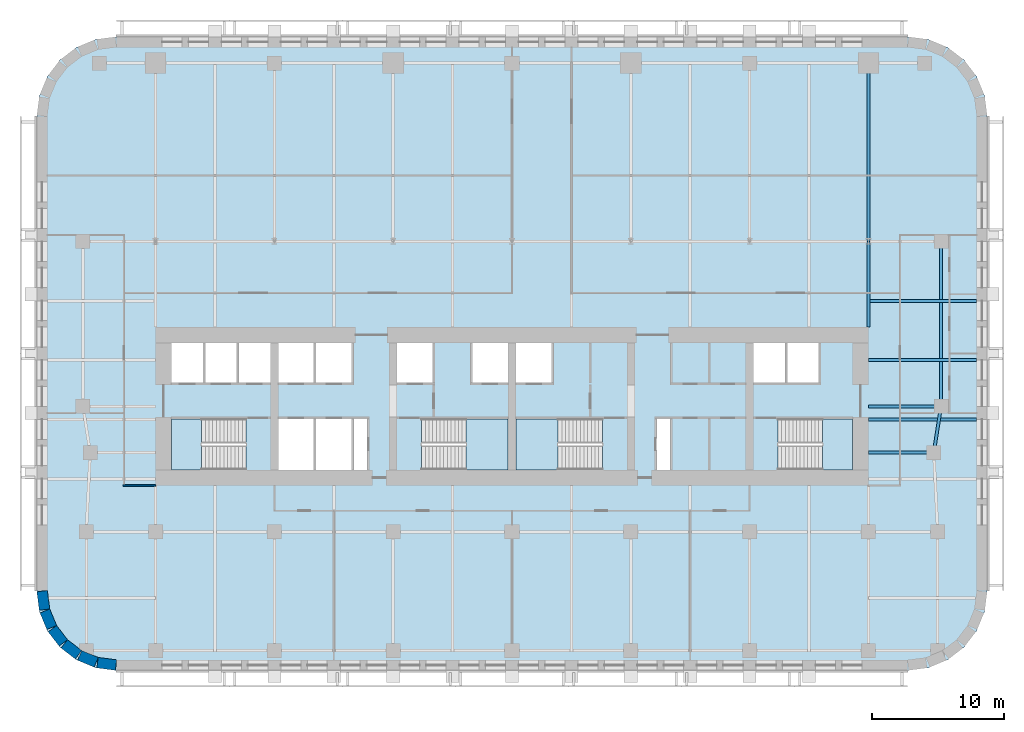
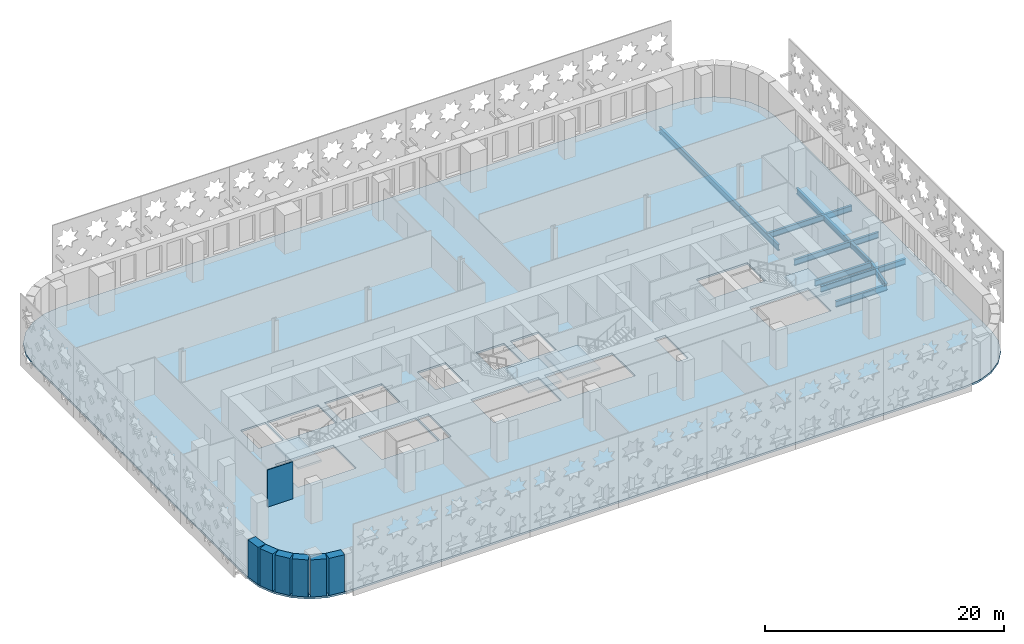
# One storey, part 2 of 15: 9 beams, 7 walls, 5 slabs, 4 elements without a shape of their own.
"""IFC4 building model written with IfcOpenShell, lengths in metres."""

import ifcopenshell
import ifcopenshell.guid

model = None  # the IFC model being written
_history = None  # IfcOwnerHistory: only IFC2X3 demands one
_inside = {}  # id of a spatial element -> (the spatial element, [elements in it])
_under = {}  # id of a project, library or spatial element -> (it, [spatial elements below it])
_declared = {}  # id of a project -> (the project, [libraries it declares])
_typed = {}  # id of a type object -> (the type object, [elements of that type])
_made_of = {}  # id of a material, layer set ... -> (it, [elements and type objects made of it])


def new_model(schema):
    """Start an empty IFC model of exactly this schema.

    Asked for "IFC4X3", IfcOpenShell would pick the latest addendum, in which some entities
    have other attributes; the version numbers below select the first issue.
    IFC2X3 requires an IfcOwnerHistory on every rooted entity: one is made here for all.
    """
    global model, _history
    if schema == "IFC4X3":
        model = ifcopenshell.file(schema_version=(4, 3, 0, 0))
    else:
        model = ifcopenshell.file(schema=schema)
    _inside.clear()
    _under.clear()
    _declared.clear()
    _typed.clear()
    _made_of.clear()
    _history = None
    if model.schema == "IFC2X3":
        org = make("IfcOrganization", Name="unknown")
        user = make(
            "IfcPersonAndOrganization",
            ThePerson=make("IfcPerson", FamilyName="unknown"),
            TheOrganization=org,
        )
        app = make(
            "IfcApplication",
            ApplicationDeveloper=org,
            Version="unknown",
            ApplicationFullName="unknown",
            ApplicationIdentifier="unknown",
        )
        _history = make(
            "IfcOwnerHistory",
            OwningUser=user,
            OwningApplication=app,
            ChangeAction="ADDED",
            CreationDate=0,
        )
    return model


def make(cls, **values):
    """One entity of the class cls with the attributes given. An attribute that is None is left unset."""
    return model.create_entity(
        cls, **{name: value for name, value in values.items() if value is not None}
    )


def rooted(cls, **values):
    """An entity with a GlobalId (a new one), such as an element, a storey or a relation."""
    return make(cls, GlobalId=ifcopenshell.guid.new(), OwnerHistory=_history, **values)


def si_unit(unit_type, name, prefix=None):
    """IfcSIUnit, for example si_unit("LENGTHUNIT", "METRE", prefix="MILLI")."""
    return make("IfcSIUnit", UnitType=unit_type, Prefix=prefix, Name=name)


def assignment(units):
    """IfcUnitAssignment: the units of a project."""
    return None if units is None else make("IfcUnitAssignment", Units=units)


def point(xyz):
    """IfcCartesianPoint."""
    return None if xyz is None else make("IfcCartesianPoint", Coordinates=xyz)


def direction(xyz):
    """IfcDirection."""
    return None if xyz is None else make("IfcDirection", DirectionRatios=xyz)


def frame(location, z_axis=None, x_axis=None):
    """IfcAxis2Placement3D, a coordinate frame: its origin and axes. An axis left out is left unset."""
    return make(
        "IfcAxis2Placement3D",
        Location=point(location),
        Axis=direction(z_axis),
        RefDirection=direction(x_axis),
    )


def frame_2d(location, x_axis=None):
    """IfcAxis2Placement2D, a coordinate frame in the plane: its origin and x axis."""
    return make(
        "IfcAxis2Placement2D", Location=point(location), RefDirection=direction(x_axis)
    )


def origin():
    """The frame at (0, 0, 0) with its axes left unset."""
    return frame((0.0, 0.0, 0.0))


def origin_2d():
    """The frame at (0, 0) in the plane with its x axis left unset."""
    return frame_2d((0.0, 0.0))


def place(relative_to, where):
    """IfcLocalPlacement: puts the frame where relative to a parent placement (None: the world)."""
    return make(
        "IfcLocalPlacement", PlacementRelTo=relative_to, RelativePlacement=where
    )


def context(
    kind, dimensions, precision=None, world=None, true_north=None, identifier=None
):
    """IfcGeometricRepresentationContext, for example the 3D "Model" context."""
    return make(
        "IfcGeometricRepresentationContext",
        ContextIdentifier=identifier,
        ContextType=kind,
        CoordinateSpaceDimension=dimensions,
        Precision=precision,
        WorldCoordinateSystem=world,
        TrueNorth=true_north,
    )


def subcontext(parent, identifier, kind, view, scale=None):
    """IfcGeometricRepresentationSubContext, for example "Body" below "Model"."""
    return make(
        "IfcGeometricRepresentationSubContext",
        ContextIdentifier=identifier,
        ContextType=kind,
        ParentContext=parent,
        TargetScale=scale,
        TargetView=view,
    )


def project(units=None, contexts=None):
    """IfcProject with its units and contexts."""
    return rooted(
        "IfcProject",
        Name="project",
        RepresentationContexts=contexts,
        UnitsInContext=assignment(units),
    )


def spatial(cls, under=None, at=None, **own):
    """A site, building, storey or space (cls), placed at a placement, below another one or the project."""
    s = rooted(cls, ObjectPlacement=at, **own)
    if under is not None:
        _under.setdefault(under.id(), (under, []))[1].append(s)
    return s


def polyline(points):
    """IfcPolyline through the points."""
    return make("IfcPolyline", Points=[point(p) for p in points])


def profile(cls, at=None, kind="AREA", **sizes):
    """A parametric profile (cls). Its sizes go by their IFC names, for example OverallWidth=200.0."""
    return make(cls, ProfileType=kind, Position=at, **sizes)


def rectangle(**sizes):
    """IfcRectangleProfileDef."""
    return profile("IfcRectangleProfileDef", **sizes)


def i_section(**sizes):
    """IfcIShapeProfileDef."""
    return profile("IfcIShapeProfileDef", **sizes)


def outline(outer, holes=None, kind="AREA"):
    """IfcArbitraryClosedProfileDef: a profile drawn as a closed curve; with holes, ...WithVoids."""
    if holes is None:
        return make("IfcArbitraryClosedProfileDef", ProfileType=kind, OuterCurve=outer)
    return make(
        "IfcArbitraryProfileDefWithVoids",
        ProfileType=kind,
        OuterCurve=outer,
        InnerCurves=holes,
    )


def extrude(swept, where, along, depth):
    """IfcExtrudedAreaSolid: the profile swept, set in the frame where, extruded along a direction by depth."""
    return make(
        "IfcExtrudedAreaSolid",
        SweptArea=swept,
        Position=where,
        ExtrudedDirection=direction(along),
        Depth=depth,
    )


def shape(context_of_items, identifier, shape_type, items):
    """IfcShapeRepresentation: the items that make up one representation, for example the "Body"."""
    return make(
        "IfcShapeRepresentation",
        ContextOfItems=context_of_items,
        RepresentationIdentifier=identifier,
        RepresentationType=shape_type,
        Items=items,
    )


def material(Name=None, Category=None):
    """IfcMaterial."""
    return make("IfcMaterial", Name=Name, Category=Category)


def layer(
    of_material, thickness, ventilated=None, Name=None, Category=None, Priority=None
):
    """IfcMaterialLayer: one layer of a wall or slab, of a material (None: an air gap)."""
    return make(
        "IfcMaterialLayer",
        Material=of_material,
        LayerThickness=thickness,
        IsVentilated=ventilated,
        Name=Name,
        Category=Category,
        Priority=Priority,
    )


def layer_set(layers, Name=None):
    """IfcMaterialLayerSet."""
    return make("IfcMaterialLayerSet", MaterialLayers=layers, LayerSetName=Name)


def material_profile(
    of_material, cross_section, Name=None, Category=None, Priority=None
):
    """IfcMaterialProfile: a cross section and its material."""
    return make(
        "IfcMaterialProfile",
        Name=Name,
        Material=of_material,
        Profile=cross_section,
        Priority=Priority,
        Category=Category,
    )


def profile_set(profiles, Name=None, composite=None):
    """IfcMaterialProfileSet."""
    return make(
        "IfcMaterialProfileSet",
        Name=Name,
        MaterialProfiles=profiles,
        CompositeProfile=composite,
    )


def made_of(thing, what):
    """Note that an element or type object is made of a material, layer set ...; save() writes the relation."""
    if what is not None:
        _made_of.setdefault(what.id(), (what, []))[1].append(thing)
    return thing


def type_object(cls, material=None, **own):
    """A type object (cls), such as IfcWallType, which elements share."""
    return made_of(rooted(cls, **own), material)


def element(
    cls,
    number,
    at=None,
    inside=None,
    cuts=None,
    type_object=None,
    material=None,
    context=None,
    identifier="Body",
    shape_type=None,
    held_by="IfcProductDefinitionShape",
    body=None,
    shapes=None,
    **own,
):
    """One element of the class cls, such as IfcWall. Its Tag is "e" and its number.

    at: its placement. inside: the storey or other place that contains it. cuts: it is an
    opening in that element (IfcRelVoidsElement). A single representation is given by context,
    identifier, shape_type and body (its items); several are given by shapes. held_by: the class
    of the entity that holds the representations. save() writes the other relations.
    """
    e = rooted(cls, Tag="e%d" % number, ObjectPlacement=at, **own)
    if body is not None:
        shapes = [shape(context, identifier, shape_type, body)]
    if shapes is not None:
        e.Representation = make(held_by, Representations=shapes)
    if inside is not None:
        _inside.setdefault(inside.id(), (inside, []))[1].append(e)
    if cuts is not None:
        rooted(
            "IfcRelVoidsElement", RelatingBuildingElement=cuts, RelatedOpeningElement=e
        )
    if type_object is not None:
        _typed.setdefault(type_object.id(), (type_object, []))[1].append(e)
    return made_of(e, material)


def aggregate(whole, parts):
    """IfcRelAggregates: a whole, such as a stair, and the parts it consists of."""
    return rooted("IfcRelAggregates", RelatingObject=whole, RelatedObjects=parts)


def save(model, path):
    """Write the relations noted so far, then the file.

    IfcRelAggregates (storeys below a building ...), IfcRelContainedInSpatialStructure (elements
    in a storey), IfcRelDefinesByType, IfcRelAssociatesMaterial and IfcRelDeclares: one each for
    every whole, place, type object, material and project.
    """
    for whole, parts in _under.values():
        aggregate(whole, parts)
    for where, things in _inside.values():
        rooted(
            "IfcRelContainedInSpatialStructure",
            RelatedElements=things,
            RelatingStructure=where,
        )
    for kind, things in _typed.values():
        rooted("IfcRelDefinesByType", RelatedObjects=things, RelatingType=kind)
    for what, things in _made_of.values():
        rooted("IfcRelAssociatesMaterial", RelatedObjects=things, RelatingMaterial=what)
    for by, libraries in _declared.values():
        rooted("IfcRelDeclares", RelatingContext=by, RelatedDefinitions=libraries)
    model.write(path)


model = new_model("IFC4")

# Units and contexts
model_context = context("Model", 3, precision=1e-05, world=origin(), true_north=direction((0.0, 1.0)))
body_context = subcontext(model_context, "Body", "Model", "MODEL_VIEW")
ifc_project = project(units=[si_unit("LENGTHUNIT", "METRE"), si_unit("AREAUNIT", "SQUARE_METRE"), si_unit("VOLUMEUNIT", "CUBIC_METRE"), si_unit("PLANEANGLEUNIT", "RADIAN"), si_unit("MASSUNIT", "GRAM", prefix="KILO")], contexts=[model_context])

# Site, building, storey
site_placement = place(None, origin())
site = spatial("IfcSite", under=ifc_project, at=site_placement, CompositionType="ELEMENT")
building_placement = place(site_placement, origin())
building = spatial("IfcBuilding", under=site, at=building_placement, Name="Zellij Exchange Tower", CompositionType="ELEMENT")
storey_placement = place(building_placement, frame((0.0, 0.0, 84.5)))
storey = spatial("IfcBuildingStorey", under=building, at=storey_placement, Name="L17", CompositionType="ELEMENT", Elevation=84.5)

# Beams
ifc_material_1 = material(Name="Structural steel ASTM A992 Gr 50", Category="steel")
ifc_material_profile_1 = material_profile(ifc_material_1, i_section(OverallWidth=0.227783203125, OverallDepth=0.60205078125, WebThickness=0.010498046875, FlangeThickness=0.014892578125, at=origin_2d()), Name="W24x68")
ifc_profile_set_1 = profile_set([ifc_material_profile_1], Name="Structural steel ASTM A992 Gr 50")
beam_type_1 = type_object("IfcBeamType", Name="STR-BEAM W24x68", PredefinedType="BEAM", material=ifc_profile_set_1)
for number, where, z_axis, x_axis, name in (
    (1, (27.0, -9.0, -0.5009765625), (1.0, 0.0, 0.0), (0.0, 1.0, 0.0), "B5"),
    (2, (27.0, -4.5, -0.5009765625), (1.0, 0.0, 0.0), (0.0, 1.0, 0.0), "B5"),
    (3, (27.0, 0.0, -0.5009765625), (1.0, 0.0, 0.0), (0.0, 1.0, 0.0), "B5"),
):
    element("IfcBeam", number, at=place(storey_placement, frame(where, z_axis=z_axis, x_axis=x_axis)), inside=storey, type_object=beam_type_1, Name=name, PredefinedType="BEAM", context=body_context, shape_type="SweptSolid", body=[
        extrude(i_section(OverallWidth=0.227783203125, OverallDepth=0.60205078125, WebThickness=0.010498046875, FlangeThickness=0.014892578125, at=origin_2d()), origin(), (0.0, 0.0, 1.0), 8.199951171875),
    ])
ifc_material_profile_2 = material_profile(ifc_material_1, i_section(OverallWidth=0.22900390625, OverallDepth=0.612060546875, WebThickness=0.011962890625, FlangeThickness=0.01953125, at=origin_2d()), Name="W24x84")
ifc_profile_set_2 = profile_set([ifc_material_profile_2], Name="Structural steel ASTM A992 Gr 50")
beam_type_2 = type_object("IfcBeamType", Name="STR-EDGE GIRDER W24x84", PredefinedType="BEAM", material=ifc_profile_set_2)
beam_1_placement = place(storey_placement, frame((31.949951171875, -11.5, -0.506103515625), z_axis=(0.155251283593, 0.987875011802, 0.0), x_axis=(-0.987875011802, 0.155251283593, 0.0)))
element("IfcBeam", 4, at=beam_1_placement, inside=storey, type_object=beam_type_2, Name="EB6", PredefinedType="BEAM", context=body_context, shape_type="SweptSolid", body=[
    extrude(i_section(OverallWidth=0.22900390625, OverallDepth=0.612060546875, WebThickness=0.011962890625, FlangeThickness=0.01953125, at=origin_2d()), origin(), (0.0, 0.0, 1.0), 3.54296875),
])
beam_2_placement = place(storey_placement, frame((32.5, -8.0, -0.506103515625), z_axis=(0.0, 1.0, 0.0), x_axis=(-1.0, 0.0, 0.0)))
element("IfcBeam", 5, at=beam_2_placement, inside=storey, type_object=beam_type_2, Name="EB6", PredefinedType="BEAM", context=body_context, shape_type="SweptSolid", body=[
    extrude(i_section(OverallWidth=0.22900390625, OverallDepth=0.612060546875, WebThickness=0.011962890625, FlangeThickness=0.01953125, at=origin_2d()), origin(), (0.0, 0.0, 1.0), 12.5),
])
ifc_material_profile_3 = material_profile(ifc_material_1, i_section(OverallWidth=0.22900390625, OverallDepth=0.612060546875, WebThickness=0.011962890625, FlangeThickness=0.01953125, at=origin_2d()), Name="W24x84")
ifc_profile_set_3 = profile_set([ifc_material_profile_3], Name="Structural steel ASTM A992 Gr 50")
beam_type_3 = type_object("IfcBeamType", Name="STR-GIRDER W24x84", PredefinedType="BEAM", material=ifc_profile_set_3)
beam_3_placement = place(storey_placement, frame((27.0, -11.5, -0.506103515625), z_axis=(1.0, 0.0, 0.0), x_axis=(0.0, 1.0, 0.0)))
element("IfcBeam", 6, at=beam_3_placement, inside=storey, type_object=beam_type_3, Name="G4", PredefinedType="BEAM", context=body_context, shape_type="SweptSolid", body=[
    extrude(i_section(OverallWidth=0.22900390625, OverallDepth=0.612060546875, WebThickness=0.011962890625, FlangeThickness=0.01953125, at=origin_2d()), origin(), (0.0, 0.0, 1.0), 4.949951171875),
])
beam_4_placement = place(storey_placement, frame((27.0, -8.0, -0.506103515625), z_axis=(1.0, 0.0, 0.0), x_axis=(0.0, 1.0, 0.0)))
element("IfcBeam", 7, at=beam_4_placement, inside=storey, type_object=beam_type_3, Name="G4", PredefinedType="BEAM", context=body_context, shape_type="SweptSolid", body=[
    extrude(i_section(OverallWidth=0.22900390625, OverallDepth=0.612060546875, WebThickness=0.011962890625, FlangeThickness=0.01953125, at=origin_2d()), origin(), (0.0, 0.0, 1.0), 5.5),
])
beam_5_placement = place(storey_placement, frame((27.0, -2.0, -0.506103515625), z_axis=(0.0, 1.0, 0.0), x_axis=(-1.0, 0.0, 0.0)))
element("IfcBeam", 8, at=beam_5_placement, inside=storey, type_object=beam_type_3, Name="G4", PredefinedType="BEAM", context=body_context, shape_type="SweptSolid", body=[
    extrude(i_section(OverallWidth=0.22900390625, OverallDepth=0.612060546875, WebThickness=0.011962890625, FlangeThickness=0.01953125, at=origin_2d()), origin(), (0.0, 0.0, 1.0), 6.5),
])
beam_6_placement = place(storey_placement, frame((27.0, 4.5, -0.506103515625), z_axis=(0.0, 1.0, 0.0), x_axis=(-1.0, 0.0, 0.0)))
element("IfcBeam", 9, at=beam_6_placement, inside=storey, type_object=beam_type_3, Name="G4", PredefinedType="BEAM", context=body_context, shape_type="SweptSolid", body=[
    extrude(i_section(OverallWidth=0.22900390625, OverallDepth=0.612060546875, WebThickness=0.011962890625, FlangeThickness=0.01953125, at=origin_2d()), origin(), (0.0, 0.0, 1.0), 13.5),
])

# Stair, slab
ifc_material_2 = material(Name="Concrete C40/50", Category="concrete")
stair_type = type_object("IfcStairType", Name="CORE-ST exit stair 1850 wide", PredefinedType="HALF_TURN_STAIR", material=ifc_material_2)
stair_1_placement = place(storey_placement, origin())
stair_1 = element("IfcStair", 10, at=stair_1_placement, inside=storey, type_object=stair_type, Name="L17 exit stair ST1", PredefinedType="HALF_TURN_STAIR")
ifc_layer_1 = layer(ifc_material_2, 0.199951171875)
ifc_layer_set_1 = layer_set([ifc_layer_1], Name="Concrete C40/50")
slab_type_1 = type_object("IfcSlabType", Name="CORE-SL stair landing 200", PredefinedType="LANDING", material=ifc_layer_set_1)
slab_1_placement = place(storey_placement, frame((0.0, 0.0, 1.800048828125)))
slab_1 = element("IfcSlab", 11, at=slab_1_placement, type_object=slab_type_1, Name="ST1 landing 1", PredefinedType="LANDING", context=body_context, shape_type="SweptSolid", body=[
    extrude(outline(polyline([(-23.510009765625, -8.949951171875), (-25.800048828125, -8.949951171875), (-25.800048828125, -12.800048828125), (-23.510009765625, -12.800048828125), (-23.510009765625, -8.949951171875)])), origin(), (0.0, 0.0, 1.0), 0.199951171875),
])
aggregate(stair_1, [slab_1])

stair_2_placement = place(storey_placement, origin())
stair_2 = element("IfcStair", 12, at=stair_2_placement, inside=storey, type_object=stair_type, Name="L17 exit stair ST2", PredefinedType="HALF_TURN_STAIR")
slab_2_placement = place(storey_placement, frame((0.0, 0.0, 1.800048828125)))
slab_2 = element("IfcSlab", 13, at=slab_2_placement, type_object=slab_type_1, Name="ST2 landing 1", PredefinedType="LANDING", context=body_context, shape_type="SweptSolid", body=[
    extrude(outline(polyline([(-3.489990234375, -12.800048828125), (-0.300048828125, -12.800048828125), (-0.300048828125, -8.949951171875), (-3.489990234375, -8.949951171875), (-3.489990234375, -12.800048828125)])), origin(), (0.0, 0.0, 1.0), 0.199951171875),
])
aggregate(stair_2, [slab_2])

stair_3_placement = place(storey_placement, origin())
stair_3 = element("IfcStair", 14, at=stair_3_placement, inside=storey, type_object=stair_type, Name="L17 exit stair ST3", PredefinedType="HALF_TURN_STAIR")
slab_3_placement = place(storey_placement, frame((0.0, 0.0, 1.800048828125)))
slab_3 = element("IfcSlab", 15, at=slab_3_placement, type_object=slab_type_1, Name="ST3 landing 1", PredefinedType="LANDING", context=body_context, shape_type="SweptSolid", body=[
    extrude(outline(polyline([(3.489990234375, -8.949951171875), (0.300048828125, -8.949951171875), (0.300048828125, -12.800048828125), (3.489990234375, -12.800048828125), (3.489990234375, -8.949951171875)])), origin(), (0.0, 0.0, 1.0), 0.199951171875),
])
aggregate(stair_3, [slab_3])

stair_4_placement = place(storey_placement, origin())
stair_4 = element("IfcStair", 16, at=stair_4_placement, inside=storey, type_object=stair_type, Name="L17 exit stair ST4", PredefinedType="HALF_TURN_STAIR")
slab_4_placement = place(storey_placement, frame((0.0, 0.0, 1.800048828125)))
slab_4 = element("IfcSlab", 17, at=slab_4_placement, type_object=slab_type_1, Name="ST4 landing 1", PredefinedType="LANDING", context=body_context, shape_type="SweptSolid", body=[
    extrude(outline(polyline([(23.510009765625, -12.800048828125), (25.800048828125, -12.800048828125), (25.800048828125, -8.949951171875), (23.510009765625, -8.949951171875), (23.510009765625, -12.800048828125)])), origin(), (0.0, 0.0, 1.0), 0.199951171875),
])
aggregate(stair_4, [slab_4])

# Slab
ifc_layer_2 = layer(ifc_material_2, 0.199951171875)
ifc_layer_set_2 = layer_set([ifc_layer_2], Name="Concrete C40/50")
slab_type_2 = type_object("IfcSlabType", Name="STR-FLOOR SLAB 200 C40/50", PredefinedType="FLOOR", material=ifc_layer_set_2)
slab_5_placement = place(storey_placement, frame((0.0, 0.0, -0.2001953125)))
element("IfcSlab", 18, at=slab_5_placement, inside=storey, type_object=slab_type_2, Name="Floor L17", PredefinedType="FLOOR", context=body_context, shape_type="SweptSolid", body=[
    extrude(outline(polyline([(-30.0, -28.0), (-31.552978515625, -27.795654296875), (-33.0, -27.1962890625), (-34.24267578125, -26.24267578125), (-35.1962890625, -25.0), (-35.795654296875, -23.552978515625), (-36.0, -22.0), (-36.0, 14.0), (-35.795654296875, 15.552978515625), (-35.1962890625, 17.0), (-34.24267578125, 18.24267578125), (-33.0, 19.1962890625), (-31.552978515625, 19.795654296875), (-30.0, 20.0), (30.0, 20.0), (31.552978515625, 19.795654296875), (33.0, 19.1962890625), (34.24267578125, 18.24267578125), (35.1962890625, 17.0), (35.795654296875, 15.552978515625), (36.0, 14.0), (36.0, -22.0), (35.795654296875, -23.552978515625), (35.1962890625, -25.0), (34.24267578125, -26.24267578125), (33.0, -27.1962890625), (31.552978515625, -27.795654296875), (30.0, -28.0), (-30.0, -28.0)]), holes=[polyline([(-25.800048828125, -8.949951171875), (-25.800048828125, -12.800048828125), (-20.153076171875, -12.800048828125), (-20.153076171875, -8.949951171875), (-25.800048828125, -8.949951171875)]), polyline([(-12.14990234375, -8.949951171875), (-17.699951171875, -8.949951171875), (-17.699951171875, -12.800048828125), (-12.14990234375, -12.800048828125), (-12.14990234375, -8.949951171875)]), polyline([(-10.949951171875, -8.949951171875), (-12.0, -8.949951171875), (-12.0, -12.800048828125), (-10.949951171875, -12.800048828125), (-10.949951171875, -8.949951171875)]), polyline([(-23.39990234375, -3.199951171875), (-25.800048828125, -3.199951171875), (-25.800048828125, -6.22509765625), (-23.39990234375, -6.22509765625), (-23.39990234375, -3.199951171875)]), polyline([(-18.300048828125, -3.199951171875), (-23.25, -3.199951171875), (-23.25, -6.22509765625), (-18.300048828125, -6.22509765625), (-18.300048828125, -3.199951171875)]), polyline([(-12.14990234375, -3.199951171875), (-17.699951171875, -3.199951171875), (-17.699951171875, -6.22509765625), (-12.14990234375, -6.22509765625), (-12.14990234375, -3.199951171875)]), polyline([(-6.0, -3.199951171875), (-8.699951171875, -3.199951171875), (-8.699951171875, -6.22509765625), (-6.0, -6.22509765625), (-6.0, -3.199951171875)]), polyline([(-6.846923828125, -8.949951171875), (-6.846923828125, -12.800048828125), (-0.300048828125, -12.800048828125), (-0.300048828125, -8.949951171875), (-6.846923828125, -8.949951171875)]), polyline([(6.846923828125, -8.949951171875), (0.300048828125, -8.949951171875), (0.300048828125, -12.800048828125), (6.846923828125, -12.800048828125), (6.846923828125, -8.949951171875)]), polyline([(12.0, -8.949951171875), (10.949951171875, -8.949951171875), (10.949951171875, -12.800048828125), (12.0, -12.800048828125), (12.0, -8.949951171875)]), polyline([(25.800048828125, -8.949951171875), (20.153076171875, -8.949951171875), (20.153076171875, -12.800048828125), (25.800048828125, -12.800048828125), (25.800048828125, -8.949951171875)]), polyline([(-0.300048828125, -3.199951171875), (-3.0, -3.199951171875), (-3.0, -6.22509765625), (-0.300048828125, -6.22509765625), (-0.300048828125, -3.199951171875)]), polyline([(3.0, -3.199951171875), (0.300048828125, -3.199951171875), (0.300048828125, -6.22509765625), (3.0, -6.22509765625), (3.0, -3.199951171875)]), polyline([(23.25, -3.199951171875), (18.300048828125, -3.199951171875), (18.300048828125, -6.22509765625), (23.25, -6.22509765625), (23.25, -3.199951171875)])]), origin(), (0.0, 0.0, 1.0), 0.2001953125),
])

# Walls
ifc_material_3 = material(Name="Precast concrete C40/50", Category="concrete")
ifc_layer_3 = layer(ifc_material_3, 0.800048828125)
ifc_layer_set_3 = layer_set([ifc_layer_3], Name="Precast concrete C40/50")
wall_type_1 = type_object("IfcWallType", Name="ENV-EW1 Precast stone-piered wall 800", PredefinedType="SOLIDWALL", material=ifc_layer_set_3)
wall_1_placement = place(storey_placement, frame((-35.5966796875, -21.999755859375, 0.0), z_axis=(0.0, 0.0, 1.0), x_axis=(0.130517283865, -0.99144603414, 0.0)))
element("IfcWall", 19, at=wall_1_placement, inside=storey, type_object=wall_type_1, Name="fac.L17.22", PredefinedType="SOLIDWALL", context=body_context, shape_type="SweptSolid", body=[
    extrude(rectangle(XDim=1.408447265625, YDim=0.800048828125, at=frame_2d((0.7041015625, 0.0))), origin(), (0.0, 0.0, 1.0), 3.800048828125),
])
wall_2_placement = place(storey_placement, frame((-35.3857421875, -23.497314453125, 0.0), z_axis=(0.0, 0.0, 1.0), x_axis=(0.38276009378, -0.923847774587, 0.0)))
element("IfcWall", 20, at=wall_2_placement, inside=storey, type_object=wall_type_1, Name="fac.L17.23", PredefinedType="SOLIDWALL", context=body_context, shape_type="SweptSolid", body=[
    extrude(rectangle(XDim=1.35546875, YDim=0.800048828125, at=frame_2d((0.677734375, 0.0))), origin(), (0.0, 0.0, 1.0), 3.800048828125),
])
for number, where, z_axis, x_axis, name in (
    (21, (-34.814697265625, -24.840087890625, 0.0), (0.0, 0.0, 1.0), (0.608866226366, -0.793272915452, 0.0), "fac.L17.24"),
    (22, (-33.91552734375, -25.9892578125, 0.0), (0.0, 0.0, 1.0), (0.793272915452, -0.608866226366, 0.0), "fac.L17.25"),
):
    element("IfcWall", number, at=place(storey_placement, frame(where, z_axis=z_axis, x_axis=x_axis)), inside=storey, type_object=wall_type_1, Name=name, PredefinedType="SOLIDWALL", context=body_context, shape_type="SweptSolid", body=[
        extrude(rectangle(XDim=1.355712890625, YDim=0.800048828125, at=frame_2d((0.677734375, 0.0))), origin(), (0.0, 0.0, 1.0), 3.800048828125),
    ])
wall_3_placement = place(storey_placement, frame((-32.74951171875, -26.866943359375, 0.0), z_axis=(0.0, 0.0, 1.0), x_axis=(0.923847774587, -0.38276009378, 0.0)))
element("IfcWall", 23, at=wall_3_placement, inside=storey, type_object=wall_type_1, Name="fac.L17.26", PredefinedType="SOLIDWALL", context=body_context, shape_type="SweptSolid", body=[
    extrude(rectangle(XDim=1.35546875, YDim=0.800048828125, at=frame_2d((0.677734375, 0.0))), origin(), (0.0, 0.0, 1.0), 3.800048828125),
])
wall_4_placement = place(storey_placement, frame((-31.396240234375, -27.412841796875, 0.0), z_axis=(0.0, 0.0, 1.0), x_axis=(0.99144603414, -0.130517283865, 0.0)))
element("IfcWall", 24, at=wall_4_placement, inside=storey, type_object=wall_type_1, Name="fac.L17.27", PredefinedType="SOLIDWALL", context=body_context, shape_type="SweptSolid", body=[
    extrude(rectangle(XDim=1.408447265625, YDim=0.800048828125, at=frame_2d((0.7041015625, 0.0))), origin(), (0.0, 0.0, 1.0), 3.800048828125),
])
ifc_material_4 = material(Name="Gypsum board partition on steel studs", Category="steel")
ifc_layer_4 = layer(ifc_material_4, 0.10009765625)
ifc_layer_set_4 = layer_set([ifc_layer_4], Name="Gypsum board partition on steel studs")
wall_type_2 = type_object("IfcWallType", Name="FIT-PARTITION-100", PredefinedType="PARTITIONING", material=ifc_layer_set_4)
wall_5_placement = place(storey_placement, frame((-29.449951171875, -14.0, 0.0), z_axis=(0.0, 0.0, 1.0), x_axis=(1.0, 0.0, 0.0)))
element("IfcWall", 25, at=wall_5_placement, inside=storey, type_object=wall_type_2, Name="FIT-PARTITION-100 010", PredefinedType="PARTITIONING", context=body_context, shape_type="SweptSolid", body=[
    extrude(rectangle(XDim=2.449951171875, YDim=0.10009765625, at=frame_2d((1.22509765625, 0.0))), origin(), (0.0, 0.0, 1.0), 3.800048828125),
])

save(model, "model.ifc")
